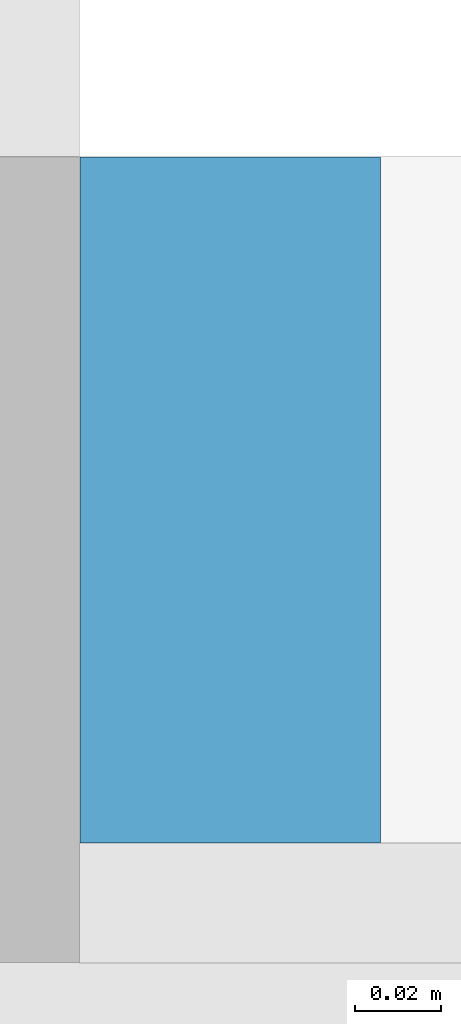
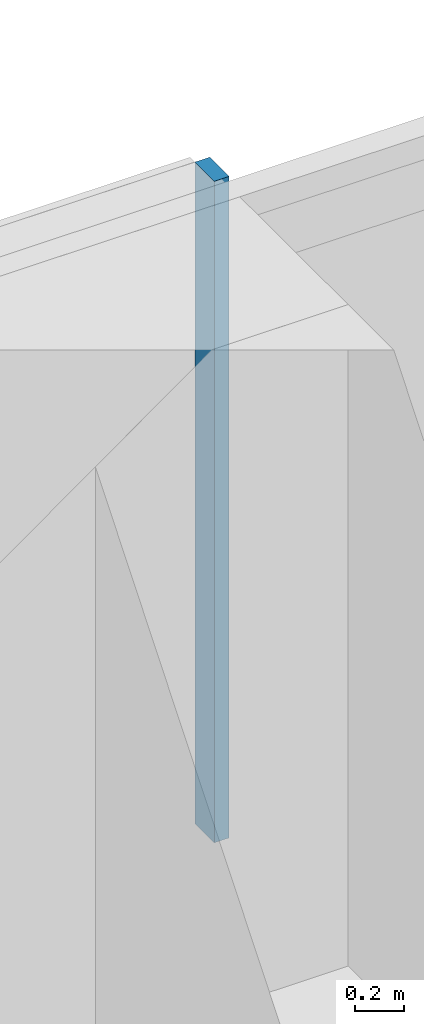
# One storey, part 10 of 27: 1 member, 1 element without a shape of its own.
"""IFC4 building model written with IfcOpenShell, lengths in metres."""

from ifc_helpers import new_model, si_unit, direction, frame, origin, origin_2d, place, context, subcontext, project, spatial, rectangle, extrude, material, material_profile, profile_set, type_object, element, aggregate, save


model = new_model("IFC4")

# Units and contexts
model_context = context("Model", 3, precision=1e-05, world=origin(), true_north=direction((0.0, 1.0)))
body_context = subcontext(model_context, "Body", "Model", "MODEL_VIEW")
ifc_project = project(units=[si_unit("LENGTHUNIT", "METRE"), si_unit("AREAUNIT", "SQUARE_METRE"), si_unit("VOLUMEUNIT", "CUBIC_METRE"), si_unit("PLANEANGLEUNIT", "RADIAN"), si_unit("MASSUNIT", "GRAM", prefix="KILO")], contexts=[model_context])

# Site, building, storey
site_placement = place(None, origin())
site = spatial("IfcSite", under=ifc_project, at=site_placement, CompositionType="ELEMENT")
building_placement = place(site_placement, origin())
building = spatial("IfcBuilding", under=site, at=building_placement, Name="Saffron Gate Tower", CompositionType="ELEMENT")
storey_placement = place(building_placement, frame((0.0, 0.0, 66.0)))
storey = spatial("IfcBuildingStorey", under=building, at=storey_placement, Name="L15", CompositionType="ELEMENT", Elevation=66.0)

# Curtain wall, member
ifc_material = material(Name="Aluminium, bronze anodised", Category="aluminium")
curtain_wall_type = type_object("IfcCurtainWallType", Name="CWS3 curtain wall rear facade", PredefinedType="NOTDEFINED", material=ifc_material)
curtain_wall_placement = place(storey_placement, origin())
curtain_wall = element("IfcCurtainWall", 1, at=curtain_wall_placement, inside=storey, type_object=curtain_wall_type, Name="CWS3 run 7", PredefinedType="NOTDEFINED")
ifc_material_profile = material_profile(ifc_material, rectangle(XDim=0.159912109375, YDim=0.070068359375, at=origin_2d()))
ifc_profile_set = profile_set([ifc_material_profile], Name="Aluminium, bronze anodised")
member_type = type_object("IfcMemberType", Name="CWS3 mullion 70x160", PredefinedType="MULLION", material=ifc_profile_set)
member_placement = place(storey_placement, frame((108.60009765625, 75.52001953125, 0.0), z_axis=(0.0, 0.0, 1.0), x_axis=(0.0, -1.0, 0.0)))
member = element("IfcMember", 2, at=member_placement, type_object=member_type, Name="CWS3 mullion 3", PredefinedType="MULLION", context=body_context, shape_type="SweptSolid", body=[
    extrude(rectangle(XDim=0.159912109375, YDim=0.070068359375, at=origin_2d()), origin(), (0.0, 0.0, 1.0), 3.320068359375),
])
aggregate(curtain_wall, [member])

save(model, "model.ifc")
